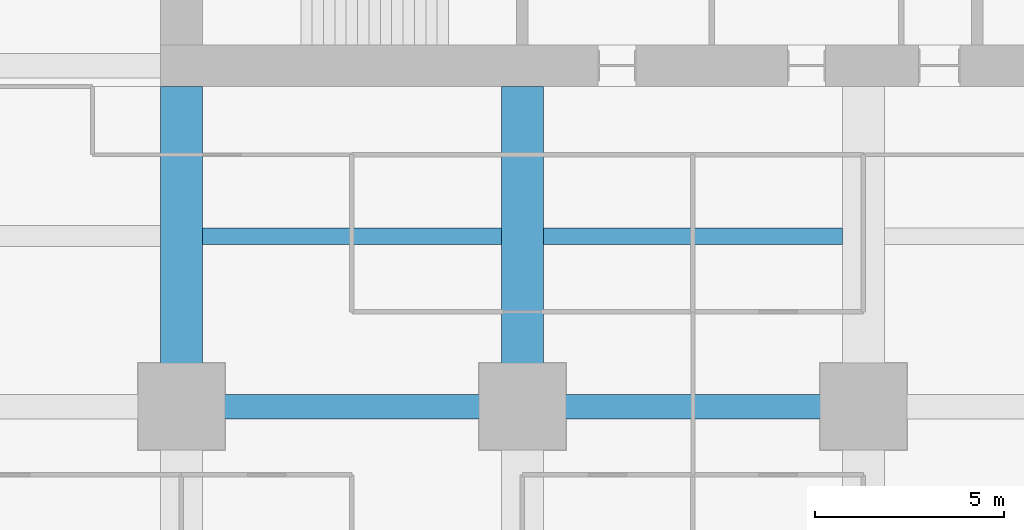
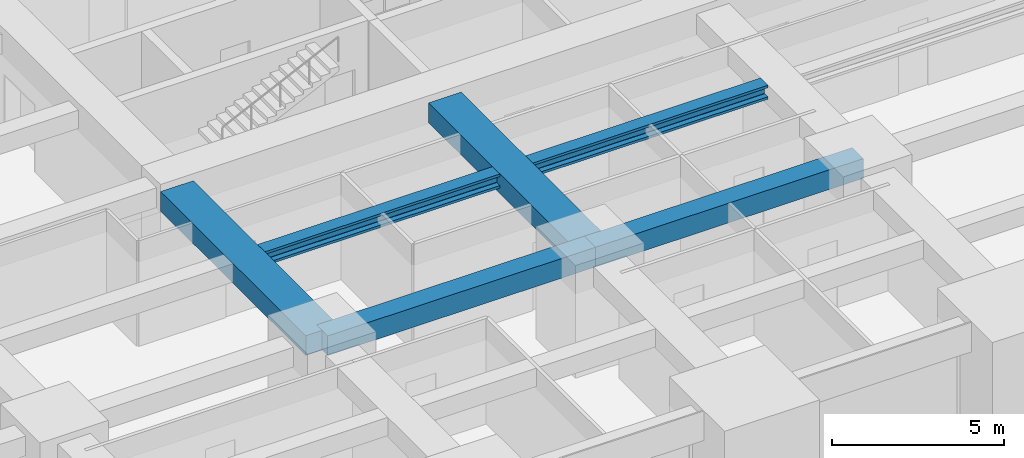
# One storey, part 8 of 50: 6 beams.
"""IFC4 building model written with IfcOpenShell, lengths in metres."""

from ifc_helpers import new_model, si_unit, direction, frame, origin, origin_2d, place, context, subcontext, project, spatial, rectangle, i_section, extrude, material, material_profile, profile_set, type_object, element, save


model = new_model("IFC4")

# Units and contexts
model_context = context("Model", 3, precision=1e-05, world=origin(), true_north=direction((0.0, 1.0)))
body_context = subcontext(model_context, "Body", "Model", "MODEL_VIEW")
ifc_project = project(units=[si_unit("LENGTHUNIT", "METRE"), si_unit("AREAUNIT", "SQUARE_METRE"), si_unit("VOLUMEUNIT", "CUBIC_METRE"), si_unit("PLANEANGLEUNIT", "RADIAN"), si_unit("MASSUNIT", "GRAM", prefix="KILO")], contexts=[model_context])

# Site, building, storey
site_placement = place(None, origin())
site = spatial("IfcSite", under=ifc_project, at=site_placement, CompositionType="ELEMENT")
building_placement = place(site_placement, origin())
building = spatial("IfcBuilding", under=site, at=building_placement, Name="Zorevar Civic Tower", CompositionType="ELEMENT")
storey_placement = place(building_placement, frame((0.0, 0.0, 85.0)))
storey = spatial("IfcBuildingStorey", under=building, at=storey_placement, Name="L20", CompositionType="ELEMENT", Elevation=85.0)

# Beams
ifc_material_1 = material(Name="Concrete C50/60", Category="concrete")
ifc_material_profile_1 = material_profile(ifc_material_1, rectangle(XDim=1.10009765625, YDim=0.699951171875, at=origin_2d()), Name="RC 1100x700")
ifc_profile_set_1 = profile_set([ifc_material_profile_1], Name="Concrete C50/60")
beam_type_1 = type_object("IfcBeamType", Name="Beam RC 1100x700", PredefinedType="BEAM", material=ifc_profile_set_1)
for number, where, z_axis, x_axis, name in (
    (1, (18.0, 9.0, 3.39990234375), (0.0, 1.0, 0.0), (-1.0, 0.0, 0.0), "Girder L21"),
    (2, (27.0, 9.0, 3.39990234375), (0.0, 1.0, 0.0), (-1.0, 0.0, 0.0), "Girder L21"),
):
    element("IfcBeam", number, at=place(storey_placement, frame(where, z_axis=z_axis, x_axis=x_axis)), inside=storey, type_object=beam_type_1, Name=name, PredefinedType="BEAM", context=body_context, shape_type="SweptSolid", body=[
        extrude(rectangle(XDim=1.10009765625, YDim=0.699951171875, at=origin_2d()), origin(), (0.0, 0.0, 1.0), 8.449951171875),
    ])
ifc_material_2 = material(Name="Concrete C50/60", Category="concrete")
ifc_material_profile_2 = material_profile(ifc_material_2, rectangle(XDim=0.64990234375, YDim=0.699951171875, at=origin_2d()), Name="RC 650x700")
ifc_profile_set_2 = profile_set([ifc_material_profile_2], Name="Concrete C50/60")
beam_type_2 = type_object("IfcBeamType", Name="Beam RC 650x700", PredefinedType="BEAM", material=ifc_profile_set_2)
for number, where, z_axis, x_axis, name in (
    (3, (18.0, 9.0, 3.39990234375), (1.0, 0.0, 0.0), (0.0, 1.0, 0.0), "Girder L21"),
    (4, (27.0, 9.0, 3.39990234375), (1.0, 0.0, 0.0), (0.0, 1.0, 0.0), "Girder L21"),
):
    element("IfcBeam", number, at=place(storey_placement, frame(where, z_axis=z_axis, x_axis=x_axis)), inside=storey, type_object=beam_type_2, Name=name, PredefinedType="BEAM", context=body_context, shape_type="SweptSolid", body=[
        extrude(rectangle(XDim=0.64990234375, YDim=0.699951171875, at=origin_2d()), origin(), (0.0, 0.0, 1.0), 9.0),
    ])
ifc_material_3 = material(Name="Steel S460M (HISTAR 460)", Category="steel")
ifc_material_profile_3 = material_profile(ifc_material_3, i_section(OverallWidth=0.431884765625, OverallDepth=0.498046875, WebThickness=0.0556640625, FlangeThickness=0.0888671875, FilletRadius=0.014892578125, at=origin_2d()), Name="HD 400x744")
ifc_profile_set_3 = profile_set([ifc_material_profile_3], Name="Steel S460M (HISTAR 460)")
beam_type_3 = type_object("IfcBeamType", Name="Core bay beam HD 400x744", PredefinedType="BEAM", material=ifc_profile_set_3)
for number, where, z_axis, x_axis, name in (
    (5, (18.550048828125, 13.5, 3.5009765625), (1.0, 0.0, 0.0), (0.0, 1.0, 0.0), "Secondary beam L21"),
    (6, (27.550048828125, 13.5, 3.5009765625), (1.0, 0.0, 0.0), (0.0, 1.0, 0.0), "Secondary beam L21"),
):
    element("IfcBeam", number, at=place(storey_placement, frame(where, z_axis=z_axis, x_axis=x_axis)), inside=storey, type_object=beam_type_3, Name=name, PredefinedType="BEAM", context=body_context, shape_type="SweptSolid", body=[
        extrude(i_section(OverallWidth=0.431884765625, OverallDepth=0.498046875, WebThickness=0.0556640625, FlangeThickness=0.0888671875, FilletRadius=0.014892578125, at=origin_2d()), origin(), (0.0, 0.0, 1.0), 7.89990234375),
    ])

save(model, "model.ifc")
